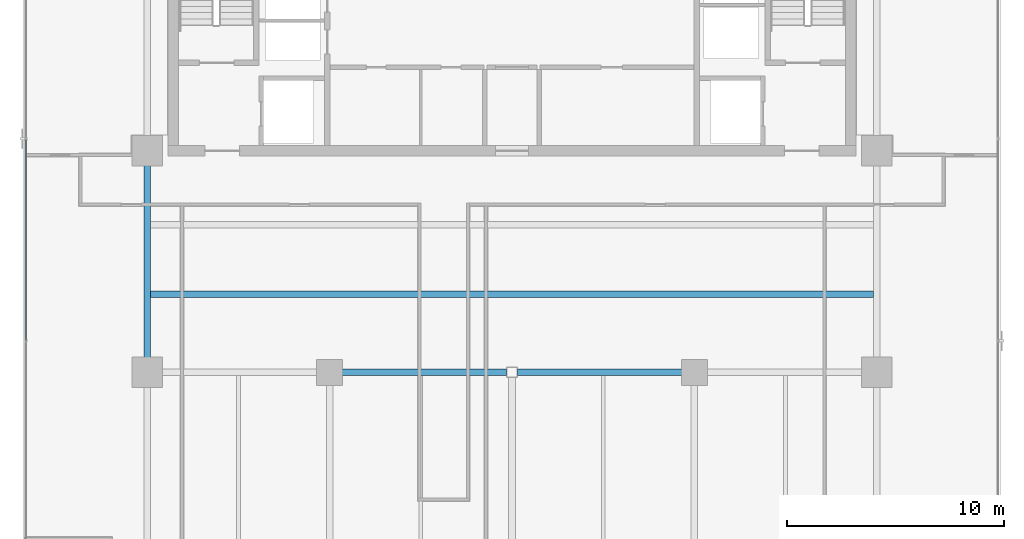
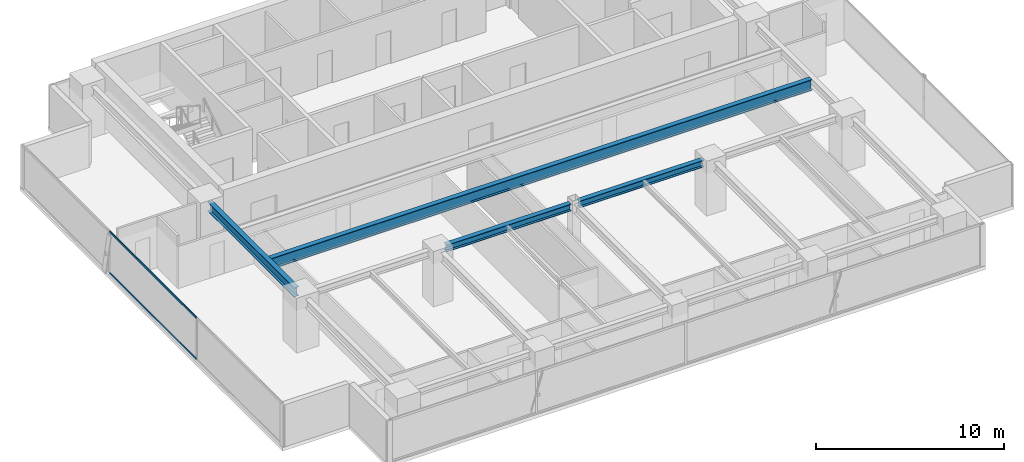
# One storey, part 8 of 26: 4 beams, 2 members, 1 element without a shape of its own.
"""IFC4 building model written with IfcOpenShell, lengths in metres."""

import ifcopenshell
import ifcopenshell.guid

model = None  # the IFC model being written
_history = None  # IfcOwnerHistory: only IFC2X3 demands one
_inside = {}  # id of a spatial element -> (the spatial element, [elements in it])
_under = {}  # id of a project, library or spatial element -> (it, [spatial elements below it])
_declared = {}  # id of a project -> (the project, [libraries it declares])
_typed = {}  # id of a type object -> (the type object, [elements of that type])
_made_of = {}  # id of a material, layer set ... -> (it, [elements and type objects made of it])


def new_model(schema):
    """Start an empty IFC model of exactly this schema.

    Asked for "IFC4X3", IfcOpenShell would pick the latest addendum, in which some entities
    have other attributes; the version numbers below select the first issue.
    IFC2X3 requires an IfcOwnerHistory on every rooted entity: one is made here for all.
    """
    global model, _history
    if schema == "IFC4X3":
        model = ifcopenshell.file(schema_version=(4, 3, 0, 0))
    else:
        model = ifcopenshell.file(schema=schema)
    _inside.clear()
    _under.clear()
    _declared.clear()
    _typed.clear()
    _made_of.clear()
    _history = None
    if model.schema == "IFC2X3":
        org = make("IfcOrganization", Name="unknown")
        user = make(
            "IfcPersonAndOrganization",
            ThePerson=make("IfcPerson", FamilyName="unknown"),
            TheOrganization=org,
        )
        app = make(
            "IfcApplication",
            ApplicationDeveloper=org,
            Version="unknown",
            ApplicationFullName="unknown",
            ApplicationIdentifier="unknown",
        )
        _history = make(
            "IfcOwnerHistory",
            OwningUser=user,
            OwningApplication=app,
            ChangeAction="ADDED",
            CreationDate=0,
        )
    return model


def make(cls, **values):
    """One entity of the class cls with the attributes given. An attribute that is None is left unset."""
    return model.create_entity(
        cls, **{name: value for name, value in values.items() if value is not None}
    )


def rooted(cls, **values):
    """An entity with a GlobalId (a new one), such as an element, a storey or a relation."""
    return make(cls, GlobalId=ifcopenshell.guid.new(), OwnerHistory=_history, **values)


def si_unit(unit_type, name, prefix=None):
    """IfcSIUnit, for example si_unit("LENGTHUNIT", "METRE", prefix="MILLI")."""
    return make("IfcSIUnit", UnitType=unit_type, Prefix=prefix, Name=name)


def assignment(units):
    """IfcUnitAssignment: the units of a project."""
    return None if units is None else make("IfcUnitAssignment", Units=units)


def point(xyz):
    """IfcCartesianPoint."""
    return None if xyz is None else make("IfcCartesianPoint", Coordinates=xyz)


def direction(xyz):
    """IfcDirection."""
    return None if xyz is None else make("IfcDirection", DirectionRatios=xyz)


def frame(location, z_axis=None, x_axis=None):
    """IfcAxis2Placement3D, a coordinate frame: its origin and axes. An axis left out is left unset."""
    return make(
        "IfcAxis2Placement3D",
        Location=point(location),
        Axis=direction(z_axis),
        RefDirection=direction(x_axis),
    )


def frame_2d(location, x_axis=None):
    """IfcAxis2Placement2D, a coordinate frame in the plane: its origin and x axis."""
    return make(
        "IfcAxis2Placement2D", Location=point(location), RefDirection=direction(x_axis)
    )


def origin():
    """The frame at (0, 0, 0) with its axes left unset."""
    return frame((0.0, 0.0, 0.0))


def origin_2d():
    """The frame at (0, 0) in the plane with its x axis left unset."""
    return frame_2d((0.0, 0.0))


def place(relative_to, where):
    """IfcLocalPlacement: puts the frame where relative to a parent placement (None: the world)."""
    return make(
        "IfcLocalPlacement", PlacementRelTo=relative_to, RelativePlacement=where
    )


def context(
    kind, dimensions, precision=None, world=None, true_north=None, identifier=None
):
    """IfcGeometricRepresentationContext, for example the 3D "Model" context."""
    return make(
        "IfcGeometricRepresentationContext",
        ContextIdentifier=identifier,
        ContextType=kind,
        CoordinateSpaceDimension=dimensions,
        Precision=precision,
        WorldCoordinateSystem=world,
        TrueNorth=true_north,
    )


def subcontext(parent, identifier, kind, view, scale=None):
    """IfcGeometricRepresentationSubContext, for example "Body" below "Model"."""
    return make(
        "IfcGeometricRepresentationSubContext",
        ContextIdentifier=identifier,
        ContextType=kind,
        ParentContext=parent,
        TargetScale=scale,
        TargetView=view,
    )


def project(units=None, contexts=None):
    """IfcProject with its units and contexts."""
    return rooted(
        "IfcProject",
        Name="project",
        RepresentationContexts=contexts,
        UnitsInContext=assignment(units),
    )


def spatial(cls, under=None, at=None, **own):
    """A site, building, storey or space (cls), placed at a placement, below another one or the project."""
    s = rooted(cls, ObjectPlacement=at, **own)
    if under is not None:
        _under.setdefault(under.id(), (under, []))[1].append(s)
    return s


def profile(cls, at=None, kind="AREA", **sizes):
    """A parametric profile (cls). Its sizes go by their IFC names, for example OverallWidth=200.0."""
    return make(cls, ProfileType=kind, Position=at, **sizes)


def hollow_rectangle(**sizes):
    """IfcRectangleHollowProfileDef."""
    return profile("IfcRectangleHollowProfileDef", **sizes)


def i_section(**sizes):
    """IfcIShapeProfileDef."""
    return profile("IfcIShapeProfileDef", **sizes)


def extrude(swept, where, along, depth):
    """IfcExtrudedAreaSolid: the profile swept, set in the frame where, extruded along a direction by depth."""
    return make(
        "IfcExtrudedAreaSolid",
        SweptArea=swept,
        Position=where,
        ExtrudedDirection=direction(along),
        Depth=depth,
    )


def shape(context_of_items, identifier, shape_type, items):
    """IfcShapeRepresentation: the items that make up one representation, for example the "Body"."""
    return make(
        "IfcShapeRepresentation",
        ContextOfItems=context_of_items,
        RepresentationIdentifier=identifier,
        RepresentationType=shape_type,
        Items=items,
    )


def source(mapping_origin, context_of_items, identifier, shape_type, items):
    """IfcRepresentationMap: a shape defined once, which mapped items show again and again."""
    return make(
        "IfcRepresentationMap",
        MappingOrigin=mapping_origin,
        MappedRepresentation=shape(context_of_items, identifier, shape_type, items),
    )


def transform(
    local_origin,
    x_axis=None,
    y_axis=None,
    z_axis=None,
    scale=None,
    scale2=None,
    scale3=None,
    uniform=True,
):
    """IfcCartesianTransformationOperator3D, or its non-uniform kind. x_axis, y_axis, z_axis: its Axis1, 2, 3."""
    if uniform:
        return make(
            "IfcCartesianTransformationOperator3D",
            Axis1=direction(x_axis),
            Axis2=direction(y_axis),
            LocalOrigin=point(local_origin),
            Scale=scale,
            Axis3=direction(z_axis),
        )
    return make(
        "IfcCartesianTransformationOperator3DnonUniform",
        Axis1=direction(x_axis),
        Axis2=direction(y_axis),
        LocalOrigin=point(local_origin),
        Scale=scale,
        Axis3=direction(z_axis),
        Scale2=scale2,
        Scale3=scale3,
    )


def mapped(mapping_source, mapping_target):
    """IfcMappedItem: shows the shape of a source again, moved by a transform."""
    return make(
        "IfcMappedItem", MappingSource=mapping_source, MappingTarget=mapping_target
    )


def material(Name=None, Category=None):
    """IfcMaterial."""
    return make("IfcMaterial", Name=Name, Category=Category)


def layer(
    of_material, thickness, ventilated=None, Name=None, Category=None, Priority=None
):
    """IfcMaterialLayer: one layer of a wall or slab, of a material (None: an air gap)."""
    return make(
        "IfcMaterialLayer",
        Material=of_material,
        LayerThickness=thickness,
        IsVentilated=ventilated,
        Name=Name,
        Category=Category,
        Priority=Priority,
    )


def layer_set(layers, Name=None):
    """IfcMaterialLayerSet."""
    return make("IfcMaterialLayerSet", MaterialLayers=layers, LayerSetName=Name)


def material_profile(
    of_material, cross_section, Name=None, Category=None, Priority=None
):
    """IfcMaterialProfile: a cross section and its material."""
    return make(
        "IfcMaterialProfile",
        Name=Name,
        Material=of_material,
        Profile=cross_section,
        Priority=Priority,
        Category=Category,
    )


def profile_set(profiles, Name=None, composite=None):
    """IfcMaterialProfileSet."""
    return make(
        "IfcMaterialProfileSet",
        Name=Name,
        MaterialProfiles=profiles,
        CompositeProfile=composite,
    )


def made_of(thing, what):
    """Note that an element or type object is made of a material, layer set ...; save() writes the relation."""
    if what is not None:
        _made_of.setdefault(what.id(), (what, []))[1].append(thing)
    return thing


def type_object(cls, material=None, **own):
    """A type object (cls), such as IfcWallType, which elements share."""
    return made_of(rooted(cls, **own), material)


def element(
    cls,
    number,
    at=None,
    inside=None,
    cuts=None,
    type_object=None,
    material=None,
    context=None,
    identifier="Body",
    shape_type=None,
    held_by="IfcProductDefinitionShape",
    body=None,
    shapes=None,
    **own,
):
    """One element of the class cls, such as IfcWall. Its Tag is "e" and its number.

    at: its placement. inside: the storey or other place that contains it. cuts: it is an
    opening in that element (IfcRelVoidsElement). A single representation is given by context,
    identifier, shape_type and body (its items); several are given by shapes. held_by: the class
    of the entity that holds the representations. save() writes the other relations.
    """
    e = rooted(cls, Tag="e%d" % number, ObjectPlacement=at, **own)
    if body is not None:
        shapes = [shape(context, identifier, shape_type, body)]
    if shapes is not None:
        e.Representation = make(held_by, Representations=shapes)
    if inside is not None:
        _inside.setdefault(inside.id(), (inside, []))[1].append(e)
    if cuts is not None:
        rooted(
            "IfcRelVoidsElement", RelatingBuildingElement=cuts, RelatedOpeningElement=e
        )
    if type_object is not None:
        _typed.setdefault(type_object.id(), (type_object, []))[1].append(e)
    return made_of(e, material)


def aggregate(whole, parts):
    """IfcRelAggregates: a whole, such as a stair, and the parts it consists of."""
    return rooted("IfcRelAggregates", RelatingObject=whole, RelatedObjects=parts)


def save(model, path):
    """Write the relations noted so far, then the file.

    IfcRelAggregates (storeys below a building ...), IfcRelContainedInSpatialStructure (elements
    in a storey), IfcRelDefinesByType, IfcRelAssociatesMaterial and IfcRelDeclares: one each for
    every whole, place, type object, material and project.
    """
    for whole, parts in _under.values():
        aggregate(whole, parts)
    for where, things in _inside.values():
        rooted(
            "IfcRelContainedInSpatialStructure",
            RelatedElements=things,
            RelatingStructure=where,
        )
    for kind, things in _typed.values():
        rooted("IfcRelDefinesByType", RelatedObjects=things, RelatingType=kind)
    for what, things in _made_of.values():
        rooted("IfcRelAssociatesMaterial", RelatedObjects=things, RelatingMaterial=what)
    for by, libraries in _declared.values():
        rooted("IfcRelDeclares", RelatingContext=by, RelatedDefinitions=libraries)
    model.write(path)


model = new_model("IFC4")

# Units and contexts
model_context = context("Model", 3, precision=1e-05, world=origin(), true_north=direction((0.0, 1.0)))
body_context = subcontext(model_context, "Body", "Model", "MODEL_VIEW")
ifc_project = project(units=[si_unit("LENGTHUNIT", "METRE"), si_unit("AREAUNIT", "SQUARE_METRE"), si_unit("VOLUMEUNIT", "CUBIC_METRE"), si_unit("PLANEANGLEUNIT", "RADIAN"), si_unit("MASSUNIT", "GRAM", prefix="KILO")], contexts=[model_context])

# Site, building, storey
site_placement = place(None, origin())
site = spatial("IfcSite", under=ifc_project, at=site_placement, CompositionType="ELEMENT")
building_placement = place(site_placement, origin())
building = spatial("IfcBuilding", under=site, at=building_placement, Name="Sumidabori Civic Tower", CompositionType="ELEMENT")
storey_placement = place(building_placement, frame((0.0, 0.0, 236.0)))
storey = spatial("IfcBuildingStorey", under=building, at=storey_placement, Name="L61", CompositionType="ELEMENT", Elevation=236.0)

# Beams
ifc_material_1 = material(Name="Steel SN490", Category="steel")
ifc_material_profile_1 = material_profile(ifc_material_1, i_section(OverallWidth=0.300048828125, OverallDepth=0.60009765625, WebThickness=0.015380859375, FlangeThickness=0.030029296875, at=origin_2d()), Name="HE 600 B")
ifc_profile_set_1 = profile_set([ifc_material_profile_1], Name="Steel SN490")
beam_type_1 = type_object("IfcBeamType", Name="BM-GIRD-600", PredefinedType="BEAM", material=ifc_profile_set_1)
shared_shape_1 = source(origin(), body_context, "Body", "SweptSolid", [
    extrude(i_section(OverallWidth=0.300048828125, OverallDepth=0.60009765625, WebThickness=0.015380859375, FlangeThickness=0.030029296875, at=origin_2d()), origin(), (0.0, 0.0, 1.0), 9.239990234375),
])
beam_1_placement = place(storey_placement, frame((-16.800048828125, 0.47998046875, 3.070068359375), z_axis=(0.0, 1.0, 0.0), x_axis=(-1.0, 0.0, 0.0)))
element("IfcBeam", 1, at=beam_1_placement, inside=storey, type_object=beam_type_1, Name="Primary Girder L61 GY-10", PredefinedType="BEAM", context=body_context, shape_type="MappedRepresentation", body=[
    mapped(shared_shape_1, transform((0.0, 0.0, 0.0), x_axis=(1.0, 0.0, 0.0), y_axis=(0.0, 1.0, 0.0), z_axis=(0.0, 0.0, 1.0), scale=1.0)),
])
ifc_material_profile_2 = material_profile(ifc_material_1, i_section(OverallWidth=0.300048828125, OverallDepth=0.699951171875, WebThickness=0.01708984375, FlangeThickness=0.031982421875, at=origin_2d()), Name="HE 700 B")
ifc_profile_set_2 = profile_set([ifc_material_profile_2], Name="Steel SN490")
beam_type_2 = type_object("IfcBeamType", Name="BM-GIRD-700", PredefinedType="BEAM", material=ifc_profile_set_2)
shared_shape_2 = source(origin(), body_context, "Body", "SweptSolid", [
    extrude(i_section(OverallWidth=0.300048828125, OverallDepth=0.699951171875, WebThickness=0.01708984375, FlangeThickness=0.031982421875, at=origin_2d()), origin(), (0.0, 0.0, 1.0), 33.2998046875),
])
beam_2_placement = place(storey_placement, frame((-16.64990234375, 3.60009765625, 3.02001953125), z_axis=(1.0, 0.0, 0.0), x_axis=(0.0, 1.0, 0.0)))
element("IfcBeam", 2, at=beam_2_placement, inside=storey, type_object=beam_type_2, Name="North Bay Floor Beam L61 JSTN-18", PredefinedType="BEAM", context=body_context, shape_type="MappedRepresentation", body=[
    mapped(shared_shape_2, transform((0.0, 0.0, 0.0), x_axis=(1.0, 0.0, 0.0), y_axis=(0.0, 1.0, 0.0), z_axis=(0.0, 0.0, 1.0), scale=1.0)),
])
ifc_material_profile_3 = material_profile(ifc_material_1, i_section(OverallWidth=0.300048828125, OverallDepth=0.449951171875, WebThickness=0.013916015625, FlangeThickness=0.02587890625, at=origin_2d()), Name="HE 450 B")
ifc_profile_set_3 = profile_set([ifc_material_profile_3], Name="Steel SN490")
beam_type_3 = type_object("IfcBeamType", Name="BM-GIRD-450", PredefinedType="BEAM", material=ifc_profile_set_3)
shared_shape_3 = source(origin(), body_context, "Body", "SweptSolid", [
    extrude(i_section(OverallWidth=0.300048828125, OverallDepth=0.449951171875, WebThickness=0.013916015625, FlangeThickness=0.02587890625, at=origin_2d()), origin(), (0.0, 0.0, 1.0), 7.669921875),
])
for number, where, z_axis, x_axis, name in (
    (3, (-7.919921875, 0.0, 3.14501953125), (1.0, 0.0, 0.0), (0.0, 1.0, 0.0), "Primary Girder L61 GX-06"),
    (4, (0.25, 0.0, 3.14501953125), (1.0, 0.0, 0.0), (0.0, 1.0, 0.0), "Primary Girder L61 GX-07"),
):
    element("IfcBeam", number, at=place(storey_placement, frame(where, z_axis=z_axis, x_axis=x_axis)), inside=storey, type_object=beam_type_3, Name=name, PredefinedType="BEAM", context=body_context, shape_type="MappedRepresentation", body=[
        mapped(shared_shape_3, transform((0.0, 0.0, 0.0), x_axis=(1.0, 0.0, 0.0), y_axis=(0.0, 1.0, 0.0), z_axis=(0.0, 0.0, 1.0), scale=1.0)),
    ])

# Curtain wall, members
ifc_material_2 = material(Name="Anodised Bronze Aluminium AW-6063-T6", Category="aluminium")
ifc_layer = layer(ifc_material_2, 0.179931640625, Name="Anodised Bronze Aluminium AW-6063-T6")
ifc_layer_set = layer_set([ifc_layer], Name="Anodised Bronze Aluminium AW-6063-T6")
curtain_wall_type = type_object("IfcCurtainWallType", Name="CW-SYS-5", PredefinedType="NOTDEFINED", material=ifc_layer_set)
curtain_wall_placement = place(storey_placement, origin())
curtain_wall = element("IfcCurtainWall", 5, at=curtain_wall_placement, inside=storey, type_object=curtain_wall_type, Name="Curtain Wall CW:L61:R10", PredefinedType="NOTDEFINED")
ifc_material_profile_4 = material_profile(ifc_material_2, hollow_rectangle(XDim=0.06005859375, YDim=0.1298828125, WallThickness=0.0048828125, at=origin_2d()), Name="ALU TRANSOM 130x60")
ifc_profile_set_4 = profile_set([ifc_material_profile_4], Name="Anodised Bronze Aluminium AW-6063-T6")
member_type = type_object("IfcMemberType", Name="CW-TRN-130", PredefinedType="USERDEFINED", material=ifc_profile_set_4)
shared_shape_4 = source(origin(), body_context, "Body", "SweptSolid", [
    extrude(hollow_rectangle(XDim=0.06005859375, YDim=0.1298828125, WallThickness=0.0048828125, at=origin_2d()), origin(), (0.0, 0.0, 1.0), 9.253173828125),
])
member_1_placement = place(storey_placement, frame((-22.3798828125, 10.7265625, 0.030029296875), z_axis=(0.0, -1.0, 0.0), x_axis=(1.0, 0.0, 0.0)))
member_1 = element("IfcMember", 6, at=member_1_placement, type_object=member_type, Name="CW-5 transom 2.1", ObjectType="TRANSOM", PredefinedType="USERDEFINED", context=body_context, shape_type="MappedRepresentation", body=[
    mapped(shared_shape_4, transform((0.0, 0.0, 0.0), x_axis=(1.0, 0.0, 0.0), y_axis=(0.0, 1.0, 0.0), z_axis=(0.0, 0.0, 1.0), scale=1.0)),
])
member_2_placement = place(storey_placement, frame((-22.3798828125, 10.7265625, 2.719970703125), z_axis=(0.0, -1.0, 0.0), x_axis=(1.0, 0.0, 0.0)))
member_2 = element("IfcMember", 7, at=member_2_placement, type_object=member_type, Name="CW-5 transom 2.2", ObjectType="TRANSOM", PredefinedType="USERDEFINED", context=body_context, shape_type="MappedRepresentation", body=[
    mapped(shared_shape_4, transform((0.0, 0.0, 0.0), x_axis=(1.0, 0.0, 0.0), y_axis=(0.0, 1.0, 0.0), z_axis=(0.0, 0.0, 1.0), scale=1.0)),
])
aggregate(curtain_wall, [member_1, member_2])

save(model, "model.ifc")
